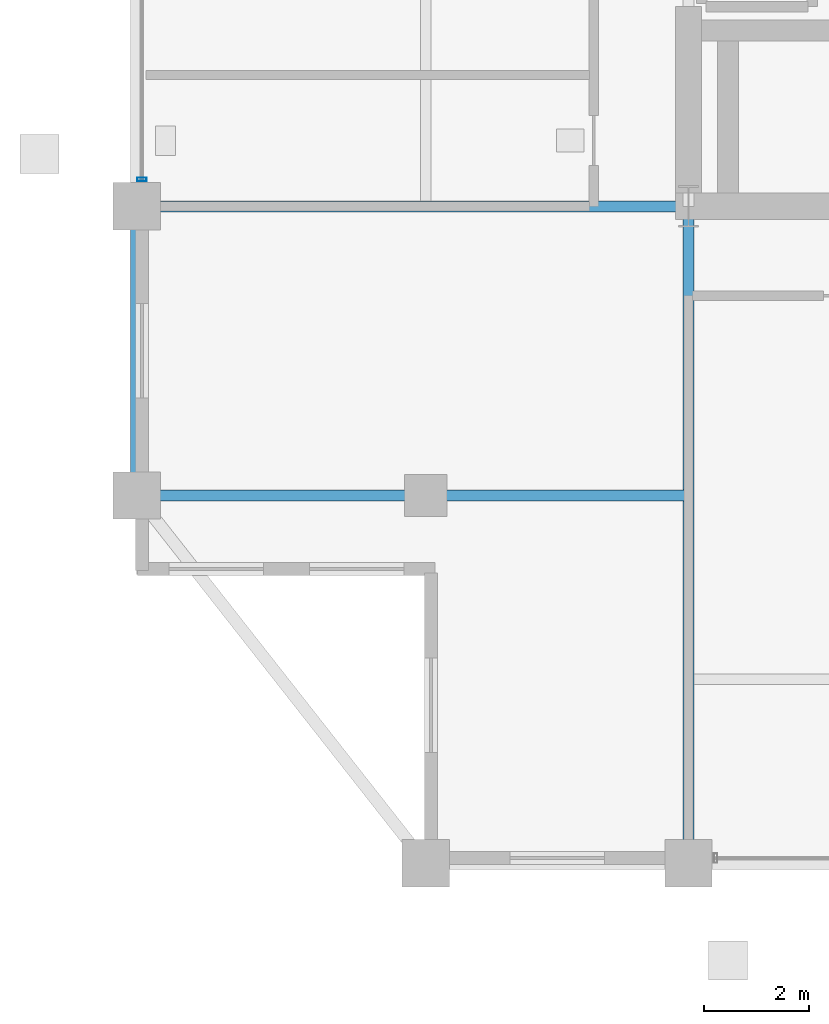
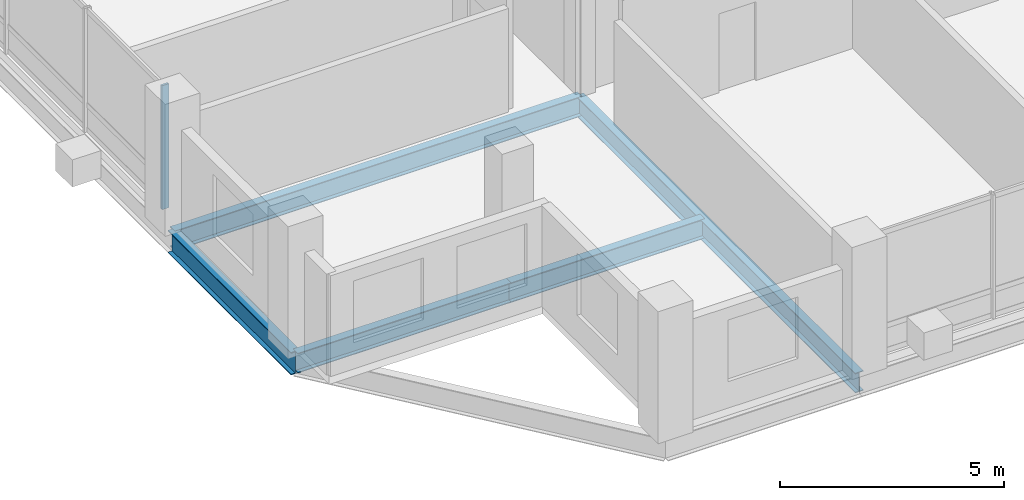
# One storey, part 3 of 21: 5 beams, 1 member, 1 element without a shape of its own.
"""IFC4 building model written with IfcOpenShell, lengths in metres."""

from ifc_helpers import new_model, si_unit, direction, frame, origin, origin_2d, place, context, subcontext, project, spatial, hollow_rectangle, i_section, extrude, material, layer, layer_set, material_profile, profile_set, type_object, element, aggregate, save


model = new_model("IFC4")

# Units and contexts
model_context = context("Model", 3, precision=1e-05, world=origin(), true_north=direction((0.0, 1.0)))
body_context = subcontext(model_context, "Body", "Model", "MODEL_VIEW")
ifc_project = project(units=[si_unit("LENGTHUNIT", "METRE"), si_unit("AREAUNIT", "SQUARE_METRE"), si_unit("VOLUMEUNIT", "CUBIC_METRE"), si_unit("PLANEANGLEUNIT", "RADIAN"), si_unit("MASSUNIT", "GRAM", prefix="KILO")], contexts=[model_context])

# Site, building, storey
site_placement = place(None, origin())
site = spatial("IfcSite", under=ifc_project, at=site_placement, CompositionType="ELEMENT")
building_placement = place(site_placement, origin())
building = spatial("IfcBuilding", under=site, at=building_placement, Name="Barlavira Tower and Art Museum", CompositionType="ELEMENT")
storey_placement = place(building_placement, frame((0.0, 0.0, 276.300048828125)))
storey = spatial("IfcBuildingStorey", under=building, at=storey_placement, Name="L72", CompositionType="ELEMENT", Elevation=276.300048828125)

# Curtain wall, member
ifc_material_1 = material(Name="Low-iron coastal laminated glass", Category="glass")
ifc_layer = layer(ifc_material_1, 0.2099609375, Name="Low-iron coastal laminated glass")
ifc_layer_set = layer_set([ifc_layer], Name="Low-iron coastal laminated glass")
curtain_wall_type = type_object("IfcCurtainWallType", Name="Pale-Metal Unitised Curtain Wall Zone 4", PredefinedType="NOTDEFINED", material=ifc_layer_set)
curtain_wall_placement = place(storey_placement, origin())
curtain_wall = element("IfcCurtainWall", 1, at=curtain_wall_placement, inside=storey, type_object=curtain_wall_type, Name="L72 Curtain Wall CW4-L72-W-B3", PredefinedType="NOTDEFINED")
ifc_material_2 = material(Name="Pale anodised aluminium", Category="aluminium")
ifc_material_profile_1 = material_profile(ifc_material_2, hollow_rectangle(XDim=0.06494140625, YDim=0.179931640625, WallThickness=0.00390625, at=origin_2d()), Name="ALU-MULL 65x180x4")
ifc_profile_set_1 = profile_set([ifc_material_profile_1], Name="Pale anodised aluminium")
member_type = type_object("IfcMemberType", Name="Curtain Wall Pale-Metal Mullion 65x180", PredefinedType="MULLION", material=ifc_profile_set_1)
member_placement = place(storey_placement, frame((-16.89990234375, -6.985107421875, 0.0), z_axis=(0.0, 0.0, 1.0), x_axis=(0.0, -1.0, 0.0)))
member = element("IfcMember", 2, at=member_placement, type_object=member_type, Name="CW4-L72-W-B3 Mullion 4", PredefinedType="MULLION", context=body_context, shape_type="SweptSolid", body=[
    extrude(hollow_rectangle(XDim=0.06494140625, YDim=0.179931640625, WallThickness=0.00390625, at=origin_2d()), origin(), (0.0, 0.0, 1.0), 3.3798828125),
])
aggregate(curtain_wall, [member])

# Beams
ifc_material_3 = material(Name="Steel S355", Category="steel")
ifc_material_profile_2 = material_profile(ifc_material_3, i_section(OverallWidth=0.22998046875, OverallDepth=0.616943359375, WebThickness=0.01318359375, FlangeThickness=0.022216796875, at=origin_2d()), Name="W610x140.0")
ifc_profile_set_2 = profile_set([ifc_material_profile_2], Name="Steel S355")
beam_type_1 = type_object("IfcBeamType", Name="Upper Shaft Spandrel Edge Beam W610x140 Steel S355", PredefinedType="SPANDREL", material=ifc_profile_set_2)
beam_1_placement = place(storey_placement, frame((-17.0, -13.0, -0.528564453125), z_axis=(0.0, 1.0, 0.0), x_axis=(-1.0, 0.0, 0.0)))
element("IfcBeam", 3, at=beam_1_placement, inside=storey, type_object=beam_type_1, Name="L72 Spandrel 15", PredefinedType="SPANDREL", context=body_context, shape_type="SweptSolid", body=[
    extrude(i_section(OverallWidth=0.22998046875, OverallDepth=0.616943359375, WebThickness=0.01318359375, FlangeThickness=0.022216796875, at=origin_2d()), origin(), (0.0, 0.0, 1.0), 5.5),
])
ifc_material_profile_3 = material_profile(ifc_material_3, i_section(OverallWidth=0.2109375, OverallDepth=0.5390625, WebThickness=0.01171875, FlangeThickness=0.018798828125, at=origin_2d()), Name="W530x109.0")
ifc_profile_set_3 = profile_set([ifc_material_profile_3], Name="Steel S355")
beam_type_2 = type_object("IfcBeamType", Name="Zone 3-4 Primary Floor Girder W530x109 Steel S355", PredefinedType="BEAM", material=ifc_profile_set_3)
beam_2_placement = place(storey_placement, frame((-6.5, -20.0, -0.489501953125), z_axis=(0.0, 1.0, 0.0), x_axis=(-1.0, 0.0, 0.0)))
element("IfcBeam", 4, at=beam_2_placement, inside=storey, type_object=beam_type_2, Name="L72 Girder R-S1", PredefinedType="BEAM", context=body_context, shape_type="SweptSolid", body=[
    extrude(i_section(OverallWidth=0.2109375, OverallDepth=0.5390625, WebThickness=0.01171875, FlangeThickness=0.018798828125, at=origin_2d()), origin(), (0.0, 0.0, 1.0), 12.5),
])
beam_3_placement = place(storey_placement, frame((-17.0, -7.5, -0.489501953125), z_axis=(1.0, 0.0, 0.0), x_axis=(0.0, 1.0, 0.0)))
element("IfcBeam", 5, at=beam_3_placement, inside=storey, type_object=beam_type_2, Name="L72 Girder R-W1", PredefinedType="BEAM", context=body_context, shape_type="SweptSolid", body=[
    extrude(i_section(OverallWidth=0.2109375, OverallDepth=0.5390625, WebThickness=0.01171875, FlangeThickness=0.018798828125, at=origin_2d()), origin(), (0.0, 0.0, 1.0), 10.5),
])
beam_4_placement = place(storey_placement, frame((-17.0, -13.0, -0.489501953125), z_axis=(1.0, 0.0, 0.0), x_axis=(0.0, 1.0, 0.0)))
element("IfcBeam", 6, at=beam_4_placement, inside=storey, type_object=beam_type_2, Name="L72 Girder I-S1", PredefinedType="BEAM", context=body_context, shape_type="SweptSolid", body=[
    extrude(i_section(OverallWidth=0.2109375, OverallDepth=0.5390625, WebThickness=0.01171875, FlangeThickness=0.018798828125, at=origin_2d()), origin(), (0.0, 0.0, 1.0), 5.5),
])
beam_5_placement = place(storey_placement, frame((-11.5, -13.0, -0.489501953125), z_axis=(1.0, 0.0, 0.0), x_axis=(0.0, 1.0, 0.0)))
element("IfcBeam", 7, at=beam_5_placement, inside=storey, type_object=beam_type_2, Name="L72 Girder I-S2", PredefinedType="BEAM", context=body_context, shape_type="SweptSolid", body=[
    extrude(i_section(OverallWidth=0.2109375, OverallDepth=0.5390625, WebThickness=0.01171875, FlangeThickness=0.018798828125, at=origin_2d()), origin(), (0.0, 0.0, 1.0), 5.0),
])

save(model, "model.ifc")
